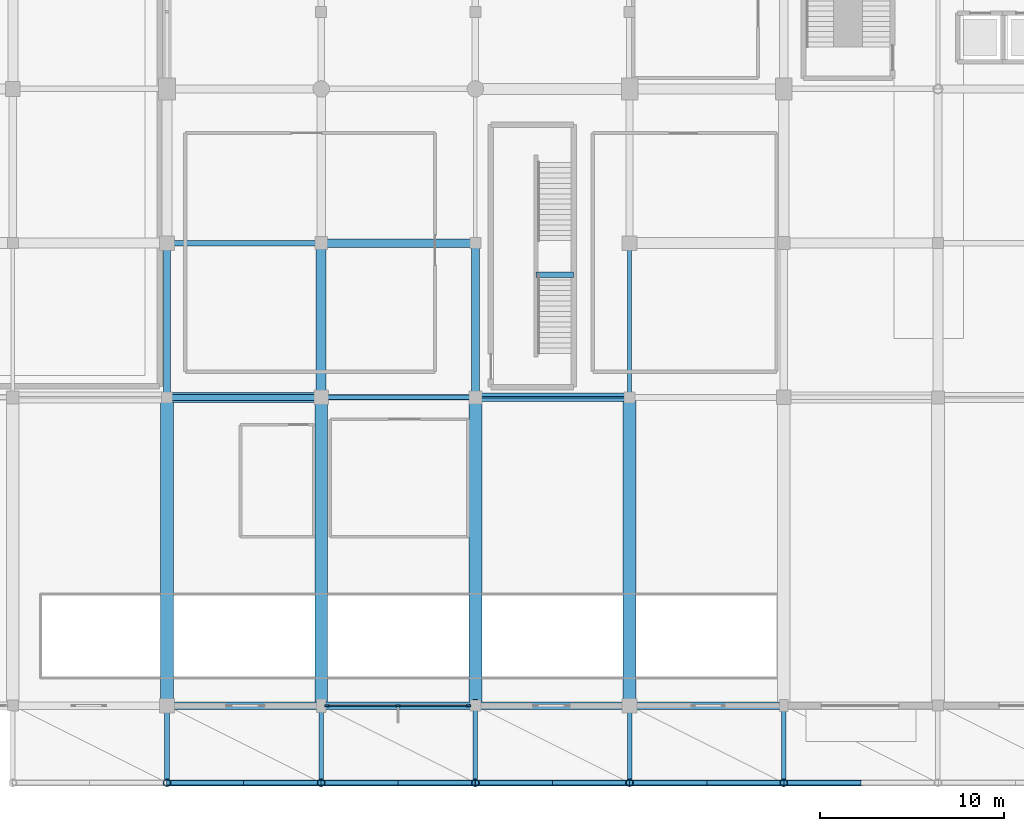
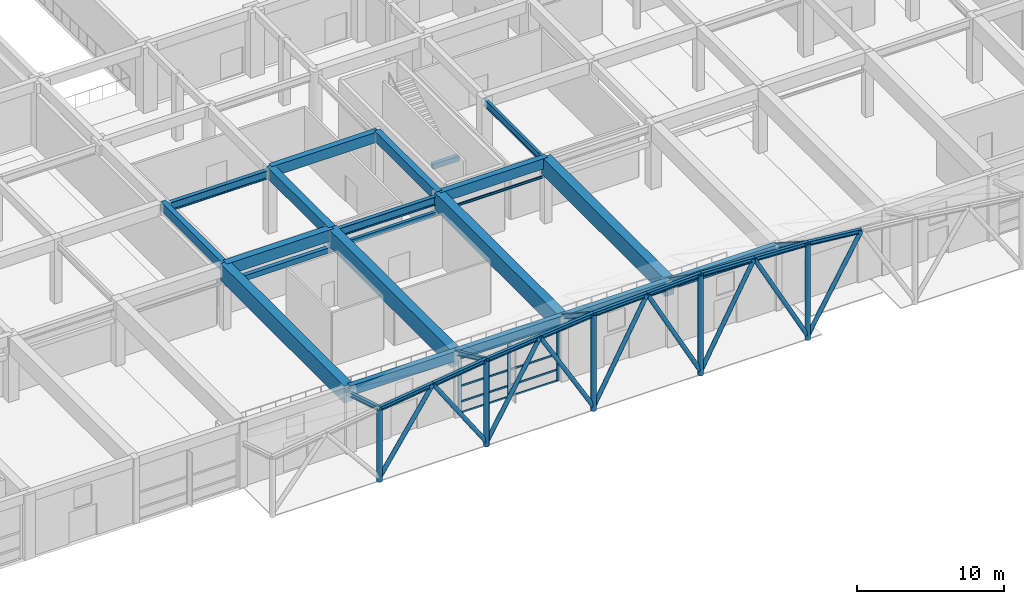
# One storey, part 15 of 62: 39 members, 21 beams, 1 element without a shape of its own.
"""IFC4 building model written with IfcOpenShell, lengths in metres."""

from ifc_helpers import new_model, si_unit, direction, frame, origin, origin_2d, place, context, subcontext, project, spatial, rectangle, hollow_circle, i_section, extrude, material, material_profile, profile_set, type_object, element, aggregate, save


model = new_model("IFC4")

# Units and contexts
model_context = context("Model", 3, precision=1e-05, world=origin(), true_north=direction((0.0, 1.0)))
body_context = subcontext(model_context, "Body", "Model", "MODEL_VIEW")
ifc_project = project(units=[si_unit("LENGTHUNIT", "METRE"), si_unit("AREAUNIT", "SQUARE_METRE"), si_unit("VOLUMEUNIT", "CUBIC_METRE"), si_unit("PLANEANGLEUNIT", "RADIAN"), si_unit("MASSUNIT", "GRAM", prefix="KILO")], contexts=[model_context])

# Site, building, storey
site_placement = place(None, origin())
site = spatial("IfcSite", under=ifc_project, at=site_placement, CompositionType="ELEMENT")
building_placement = place(site_placement, origin())
building = spatial("IfcBuilding", under=site, at=building_placement, Name="Xuanlan Plaza Opera House", CompositionType="ELEMENT")
storey_placement = place(building_placement, origin())
storey = spatial("IfcBuildingStorey", under=building, at=storey_placement, Name="L00", CompositionType="ELEMENT", Elevation=0.0)

# Curtain wall, members
ifc_material_1 = material(Name="Anodised Aluminium 6063-T6 and Low-E Glass", Category="aluminium")
curtain_wall_type = type_object("IfcCurtainWallType", Name="ENV-CW-CW-05", PredefinedType="USERDEFINED", material=ifc_material_1)
curtain_wall_placement = place(storey_placement, origin())
curtain_wall = element("IfcCurtainWall", 1, at=curtain_wall_placement, inside=storey, type_object=curtain_wall_type, Name="Acoustic Glazed Wall L00-008", ObjectType="ACOUSTIC GLAZED WALL", PredefinedType="USERDEFINED")
ifc_material_2 = material(Name="Anodised Aluminium 6063-T6", Category="aluminium")
ifc_material_profile_1 = material_profile(ifc_material_2, rectangle(XDim=0.090087890625, YDim=0.25, at=origin_2d()), Name="ALU-M 90x250")
ifc_profile_set_1 = profile_set([ifc_material_profile_1], Name="Anodised Aluminium 6063-T6")
member_type_1 = type_object("IfcMemberType", Name="ENV-CWM-05", PredefinedType="MULLION", material=ifc_profile_set_1)
member_1_placement = place(storey_placement, frame((75.9150390625, 0.0, 0.0), z_axis=(0.0, 0.0, 1.0), x_axis=(0.0, 1.0, 0.0)))
member_1 = element("IfcMember", 2, at=member_1_placement, type_object=member_type_1, Name="CW-05 mullion 1", PredefinedType="MULLION", context=body_context, shape_type="SweptSolid", body=[
    extrude(rectangle(XDim=0.090087890625, YDim=0.25, at=origin_2d()), origin(), (0.0, 0.0, 1.0), 4.580078125),
])
member_2_placement = place(storey_placement, frame((79.77490234375, 0.0, 0.0), z_axis=(0.0, 0.0, 1.0), x_axis=(0.0, 1.0, 0.0)))
member_2 = element("IfcMember", 3, at=member_2_placement, type_object=member_type_1, Name="CW-05 mullion 2", PredefinedType="MULLION", context=body_context, shape_type="SweptSolid", body=[
    extrude(rectangle(XDim=0.090087890625, YDim=0.25, at=origin_2d()), origin(), (0.0, 0.0, 1.0), 4.580078125),
])
member_3_placement = place(storey_placement, frame((83.635009765625, 0.0, 0.0), z_axis=(0.0, 0.0, 1.0), x_axis=(0.0, 1.0, 0.0)))
member_3 = element("IfcMember", 4, at=member_3_placement, type_object=member_type_1, Name="CW-05 mullion 3", PredefinedType="MULLION", context=body_context, shape_type="SweptSolid", body=[
    extrude(rectangle(XDim=0.090087890625, YDim=0.25, at=origin_2d()), origin(), (0.0, 0.0, 1.0), 4.580078125),
])
ifc_material_profile_2 = material_profile(ifc_material_2, rectangle(XDim=0.074951171875, YDim=0.14990234375, at=origin_2d()), Name="ALU-T 75x150")
ifc_profile_set_2 = profile_set([ifc_material_profile_2], Name="Anodised Aluminium 6063-T6")
member_type_2 = type_object("IfcMemberType", Name="ENV-CWT-03", PredefinedType="USERDEFINED", material=ifc_profile_set_2)
member_4_placement = place(storey_placement, frame((75.9599609375, 0.0, 0.03759765625), z_axis=(1.0, 0.0, 0.0), x_axis=(0.0, 1.0, 0.0)))
member_4 = element("IfcMember", 5, at=member_4_placement, type_object=member_type_2, Name="CW-05 transom 1.1", ObjectType="TRANSOM", PredefinedType="USERDEFINED", context=body_context, shape_type="SweptSolid", body=[
    extrude(rectangle(XDim=0.074951171875, YDim=0.14990234375, at=origin_2d()), origin(), (0.0, 0.0, 1.0), 3.77001953125),
])
member_5_placement = place(storey_placement, frame((75.9599609375, 0.0, 0.949951171875), z_axis=(1.0, 0.0, 0.0), x_axis=(0.0, 1.0, 0.0)))
member_5 = element("IfcMember", 6, at=member_5_placement, type_object=member_type_2, Name="CW-05 transom 1.2", ObjectType="TRANSOM", PredefinedType="USERDEFINED", context=body_context, shape_type="SweptSolid", body=[
    extrude(rectangle(XDim=0.074951171875, YDim=0.14990234375, at=origin_2d()), origin(), (0.0, 0.0, 1.0), 3.77001953125),
])
member_6_placement = place(storey_placement, frame((75.9599609375, 0.0, 2.25), z_axis=(1.0, 0.0, 0.0), x_axis=(0.0, 1.0, 0.0)))
member_6 = element("IfcMember", 7, at=member_6_placement, type_object=member_type_2, Name="CW-05 transom 1.3", ObjectType="TRANSOM", PredefinedType="USERDEFINED", context=body_context, shape_type="SweptSolid", body=[
    extrude(rectangle(XDim=0.074951171875, YDim=0.14990234375, at=origin_2d()), origin(), (0.0, 0.0, 1.0), 3.77001953125),
])
member_7_placement = place(storey_placement, frame((75.9599609375, 0.0, 4.54248046875), z_axis=(1.0, 0.0, 0.0), x_axis=(0.0, 1.0, 0.0)))
member_7 = element("IfcMember", 8, at=member_7_placement, type_object=member_type_2, Name="CW-05 transom 1.4", ObjectType="TRANSOM", PredefinedType="USERDEFINED", context=body_context, shape_type="SweptSolid", body=[
    extrude(rectangle(XDim=0.074951171875, YDim=0.14990234375, at=origin_2d()), origin(), (0.0, 0.0, 1.0), 3.77001953125),
])
member_8_placement = place(storey_placement, frame((79.820068359375, 0.0, 0.03759765625), z_axis=(1.0, 0.0, 0.0), x_axis=(0.0, 1.0, 0.0)))
member_8 = element("IfcMember", 9, at=member_8_placement, type_object=member_type_2, Name="CW-05 transom 2.1", ObjectType="TRANSOM", PredefinedType="USERDEFINED", context=body_context, shape_type="SweptSolid", body=[
    extrude(rectangle(XDim=0.074951171875, YDim=0.14990234375, at=origin_2d()), origin(), (0.0, 0.0, 1.0), 3.77001953125),
])
member_9_placement = place(storey_placement, frame((79.820068359375, 0.0, 0.949951171875), z_axis=(1.0, 0.0, 0.0), x_axis=(0.0, 1.0, 0.0)))
member_9 = element("IfcMember", 10, at=member_9_placement, type_object=member_type_2, Name="CW-05 transom 2.2", ObjectType="TRANSOM", PredefinedType="USERDEFINED", context=body_context, shape_type="SweptSolid", body=[
    extrude(rectangle(XDim=0.074951171875, YDim=0.14990234375, at=origin_2d()), origin(), (0.0, 0.0, 1.0), 3.77001953125),
])
member_10_placement = place(storey_placement, frame((79.820068359375, 0.0, 2.25), z_axis=(1.0, 0.0, 0.0), x_axis=(0.0, 1.0, 0.0)))
member_10 = element("IfcMember", 11, at=member_10_placement, type_object=member_type_2, Name="CW-05 transom 2.3", ObjectType="TRANSOM", PredefinedType="USERDEFINED", context=body_context, shape_type="SweptSolid", body=[
    extrude(rectangle(XDim=0.074951171875, YDim=0.14990234375, at=origin_2d()), origin(), (0.0, 0.0, 1.0), 3.77001953125),
])
member_11_placement = place(storey_placement, frame((79.820068359375, 0.0, 4.54248046875), z_axis=(1.0, 0.0, 0.0), x_axis=(0.0, 1.0, 0.0)))
member_11 = element("IfcMember", 12, at=member_11_placement, type_object=member_type_2, Name="CW-05 transom 2.4", ObjectType="TRANSOM", PredefinedType="USERDEFINED", context=body_context, shape_type="SweptSolid", body=[
    extrude(rectangle(XDim=0.074951171875, YDim=0.14990234375, at=origin_2d()), origin(), (0.0, 0.0, 1.0), 3.77001953125),
])
aggregate(curtain_wall, [member_1, member_2, member_3, member_4, member_5, member_6, member_7, member_8, member_9, member_10, member_11])

# Beams
ifc_material_3 = material(Name="Concrete C50", Category="concrete")
ifc_material_profile_3 = material_profile(ifc_material_3, rectangle(XDim=0.550048828125, YDim=0.949951171875, at=origin_2d()), Name="RC-BM 550x950")
ifc_profile_set_3 = profile_set([ifc_material_profile_3], Name="Concrete C50")
beam_type_1 = type_object("IfcBeamType", Name="STR-BM-B-02", PredefinedType="BEAM", material=ifc_profile_set_3)
beam_1_placement = place(storey_placement, frame((67.199951171875, 16.800048828125, 4.925048828125), z_axis=(1.0, 0.0, 0.0), x_axis=(0.0, 1.0, 0.0)))
element("IfcBeam", 13, at=beam_1_placement, inside=storey, type_object=beam_type_1, Name="Grid Beam X L00 9-10/C", PredefinedType="BEAM", context=body_context, shape_type="SweptSolid", body=[
    extrude(rectangle(XDim=0.550048828125, YDim=0.949951171875, at=origin_2d()), origin(), (0.0, 0.0, 1.0), 8.400146484375),
])
beam_2_placement = place(storey_placement, frame((75.60009765625, 16.800048828125, 4.925048828125), z_axis=(0.0, 1.0, 0.0), x_axis=(-1.0, 0.0, 0.0)))
element("IfcBeam", 14, at=beam_2_placement, inside=storey, type_object=beam_type_1, Name="Grid Beam Y L00 10/C-D", PredefinedType="BEAM", context=body_context, shape_type="SweptSolid", body=[
    extrude(rectangle(XDim=0.550048828125, YDim=0.949951171875, at=origin_2d()), origin(), (0.0, 0.0, 1.0), 8.39990234375),
])
ifc_material_4 = material(Name="Concrete C40", Category="concrete")
ifc_material_profile_4 = material_profile(ifc_material_4, rectangle(XDim=0.449951171875, YDim=0.85009765625, at=origin_2d()), Name="RC-BM 450x850")
ifc_profile_set_4 = profile_set([ifc_material_profile_4], Name="Concrete C40")
beam_type_2 = type_object("IfcBeamType", Name="STR-BM-B-04", PredefinedType="BEAM", material=ifc_profile_set_4)
for number, where, z_axis, x_axis, name in (
    (15, (84.0, 16.800048828125, 4.97509765625), (1.0, 0.0, 0.0), (0.0, 1.0, 0.0), "Grid Beam X L00 11-12/C"),
    (16, (75.60009765625, 25.199951171875, 4.97509765625), (1.0, 0.0, 0.0), (0.0, 1.0, 0.0), "Grid Beam X L00 10-11/D"),
    (17, (84.0, 16.800048828125, 4.97509765625), (0.0, 1.0, 0.0), (-1.0, 0.0, 0.0), "Grid Beam Y L00 11/C-D"),
):
    element("IfcBeam", number, at=place(storey_placement, frame(where, z_axis=z_axis, x_axis=x_axis)), inside=storey, type_object=beam_type_2, Name=name, PredefinedType="BEAM", context=body_context, shape_type="SweptSolid", body=[
        extrude(rectangle(XDim=0.449951171875, YDim=0.85009765625, at=origin_2d()), origin(), (0.0, 0.0, 1.0), 8.39990234375),
    ])
ifc_material_profile_5 = material_profile(ifc_material_4, rectangle(XDim=0.39990234375, YDim=0.75, at=origin_2d()), Name="RC-BM 400x750")
ifc_profile_set_5 = profile_set([ifc_material_profile_5], Name="Concrete C40")
beam_type_3 = type_object("IfcBeamType", Name="STR-BM-B-06", PredefinedType="BEAM", material=ifc_profile_set_5)
beam_3_placement = place(storey_placement, frame((67.199951171875, 16.800048828125, 5.02490234375), z_axis=(0.0, 1.0, 0.0), x_axis=(-1.0, 0.0, 0.0)))
element("IfcBeam", 18, at=beam_3_placement, inside=storey, type_object=beam_type_3, Name="Grid Beam Y L00 9/C-D", PredefinedType="BEAM", context=body_context, shape_type="SweptSolid", body=[
    extrude(rectangle(XDim=0.39990234375, YDim=0.75, at=origin_2d()), origin(), (0.0, 0.0, 1.0), 8.39990234375),
])
ifc_material_profile_6 = material_profile(ifc_material_3, rectangle(XDim=0.699951171875, YDim=1.39990234375, at=origin_2d()), Name="RC-LG 700x1400")
ifc_profile_set_6 = profile_set([ifc_material_profile_6], Name="Concrete C50")
beam_type_4 = type_object("IfcBeamType", Name="STR-BM-LG-01", PredefinedType="BEAM", material=ifc_profile_set_6)
for number, where, z_axis, x_axis, name in (
    (19, (67.199951171875, 0.0, 4.699951171875), (0.0, 1.0, 0.0), (-1.0, 0.0, 0.0), "Grid Beam Y L00 9/A-C"),
    (20, (75.60009765625, 0.0, 4.699951171875), (0.0, 1.0, 0.0), (-1.0, 0.0, 0.0), "Grid Beam Y L00 10/A-C"),
    (21, (84.0, 0.0, 4.699951171875), (0.0, 1.0, 0.0), (-1.0, 0.0, 0.0), "Grid Beam Y L00 11/A-C"),
    (22, (92.39990234375, 0.0, 4.699951171875), (0.0, 1.0, 0.0), (-1.0, 0.0, 0.0), "Grid Beam Y L00 12/A-C"),
):
    element("IfcBeam", number, at=place(storey_placement, frame(where, z_axis=z_axis, x_axis=x_axis)), inside=storey, type_object=beam_type_4, Name=name, PredefinedType="BEAM", context=body_context, shape_type="SweptSolid", body=[
        extrude(rectangle(XDim=0.699951171875, YDim=1.39990234375, at=origin_2d()), origin(), (0.0, 0.0, 1.0), 16.800048828125),
    ])
ifc_material_profile_7 = material_profile(ifc_material_4, rectangle(XDim=0.239990234375, YDim=0.35009765625, at=origin_2d()), Name="RC-LNT 240x350")
ifc_profile_set_7 = profile_set([ifc_material_profile_7], Name="Concrete C40")
beam_type_5 = type_object("IfcBeamType", Name="STR-BM-LN-02", PredefinedType="LINTEL", material=ifc_profile_set_7)
beam_4_placement = place(storey_placement, frame((75.60009765625, 16.800048828125, 3.675048828125), z_axis=(1.0, 0.0, 0.0), x_axis=(0.0, 1.0, 0.0)))
element("IfcBeam", 23, at=beam_4_placement, inside=storey, type_object=beam_type_5, Name="Backstage Portal Lintel Beam L00-09", PredefinedType="LINTEL", context=body_context, shape_type="SweptSolid", body=[
    extrude(rectangle(XDim=0.239990234375, YDim=0.35009765625, at=origin_2d()), origin(), (0.0, 0.0, 1.0), 8.39990234375),
])
ifc_material_5 = material(Name="Steel Q355B", Category="steel")
ifc_material_profile_8 = material_profile(ifc_material_5, i_section(OverallWidth=0.10009765625, OverallDepth=0.199951171875, WebThickness=0.005615234375, FlangeThickness=0.008056640625, FilletRadius=0.010986328125, at=origin_2d()), Name="HN 200x100x5.5x8")
ifc_profile_set_8 = profile_set([ifc_material_profile_8], Name="Steel Q355B")
beam_type_6 = type_object("IfcBeamType", Name="STR-BM-LN-03", PredefinedType="LINTEL", material=ifc_profile_set_8)
beam_5_placement = place(storey_placement, frame((84.0, 16.800048828125, 3.75), z_axis=(1.0, 0.0, 0.0), x_axis=(0.0, 1.0, 0.0)))
element("IfcBeam", 24, at=beam_5_placement, inside=storey, type_object=beam_type_6, Name="Backstage Portal Lintel Beam L00-10", PredefinedType="LINTEL", context=body_context, shape_type="SweptSolid", body=[
    extrude(i_section(OverallWidth=0.10009765625, OverallDepth=0.199951171875, WebThickness=0.005615234375, FlangeThickness=0.008056640625, FilletRadius=0.010986328125, at=origin_2d()), origin(), (0.0, 0.0, 1.0), 8.39990234375),
])
ifc_material_profile_9 = material_profile(ifc_material_4, rectangle(XDim=0.320068359375, YDim=0.419921875, at=origin_2d()), Name="RC-LNT 320x420")
ifc_profile_set_9 = profile_set([ifc_material_profile_9], Name="Concrete C40")
beam_type_7 = type_object("IfcBeamType", Name="STR-BM-LN-04", PredefinedType="LINTEL", material=ifc_profile_set_9)
beam_6_placement = place(storey_placement, frame((87.300048828125, 23.47509765625, 2.2900390625), z_axis=(1.0, 0.0, 0.0), x_axis=(0.0, 1.0, 0.0)))
element("IfcBeam", 25, at=beam_6_placement, inside=storey, type_object=beam_type_7, Name="Stair Mid-Landing Trimmer Beam ST-P3 L00", PredefinedType="LINTEL", context=body_context, shape_type="SweptSolid", body=[
    extrude(rectangle(XDim=0.320068359375, YDim=0.419921875, at=origin_2d()), origin(), (0.0, 0.0, 1.0), 2.050048828125),
])
ifc_material_profile_10 = material_profile(ifc_material_4, rectangle(XDim=0.320068359375, YDim=0.43994140625, at=origin_2d()), Name="RC-LNT 320x440")
ifc_profile_set_10 = profile_set([ifc_material_profile_10], Name="Concrete C40")
beam_type_8 = type_object("IfcBeamType", Name="STR-BM-LN-05", PredefinedType="LINTEL", material=ifc_profile_set_10)
beam_7_placement = place(storey_placement, frame((67.199951171875, 16.800048828125, 3.6298828125), z_axis=(1.0, 0.0, 0.0), x_axis=(0.0, 1.0, 0.0)))
element("IfcBeam", 26, at=beam_7_placement, inside=storey, type_object=beam_type_8, Name="Backstage Portal Lintel Beam L00-08", PredefinedType="LINTEL", context=body_context, shape_type="SweptSolid", body=[
    extrude(rectangle(XDim=0.320068359375, YDim=0.43994140625, at=origin_2d()), origin(), (0.0, 0.0, 1.0), 8.400146484375),
])
ifc_material_profile_11 = material_profile(ifc_material_5, i_section(OverallWidth=0.300048828125, OverallDepth=0.699951171875, WebThickness=0.012939453125, FlangeThickness=0.02392578125, FilletRadius=0.02392578125, at=origin_2d()), Name="HN 700x300x13x24")
ifc_profile_set_11 = profile_set([ifc_material_profile_11], Name="Steel Q355B")
beam_type_9 = type_object("IfcBeamType", Name="STR-BM-SB-03", PredefinedType="BEAM", material=ifc_profile_set_11)
beam_8_placement = place(storey_placement, frame((75.60009765625, 16.800048828125, 4.784912109375), z_axis=(1.0, 0.0, 0.0), x_axis=(0.0, 1.0, 0.0)))
element("IfcBeam", 27, at=beam_8_placement, inside=storey, type_object=beam_type_9, Name="Grid Beam X L00 10-11/C", PredefinedType="BEAM", context=body_context, shape_type="SweptSolid", body=[
    extrude(i_section(OverallWidth=0.300048828125, OverallDepth=0.699951171875, WebThickness=0.012939453125, FlangeThickness=0.02392578125, FilletRadius=0.02392578125, at=origin_2d()), origin(), (0.0, 0.0, 1.0), 8.39990234375),
])
beam_9_placement = place(storey_placement, frame((67.199951171875, 25.199951171875, 4.784912109375), z_axis=(1.0, 0.0, 0.0), x_axis=(0.0, 1.0, 0.0)))
element("IfcBeam", 28, at=beam_9_placement, inside=storey, type_object=beam_type_9, Name="Grid Beam X L00 9-10/D", PredefinedType="BEAM", context=body_context, shape_type="SweptSolid", body=[
    extrude(i_section(OverallWidth=0.300048828125, OverallDepth=0.699951171875, WebThickness=0.012939453125, FlangeThickness=0.02392578125, FilletRadius=0.02392578125, at=origin_2d()), origin(), (0.0, 0.0, 1.0), 8.400146484375),
])
ifc_material_profile_12 = material_profile(ifc_material_5, i_section(OverallWidth=0.199951171875, OverallDepth=0.60009765625, WebThickness=0.010986328125, FlangeThickness=0.01708984375, FilletRadius=0.02197265625, at=origin_2d()), Name="HN 600x200x11x17")
ifc_profile_set_12 = profile_set([ifc_material_profile_12], Name="Steel Q355B")
beam_type_10 = type_object("IfcBeamType", Name="STR-BM-SB-04", PredefinedType="BEAM", material=ifc_profile_set_12)
beam_10_placement = place(storey_placement, frame((92.39990234375, 16.800048828125, 4.8349609375), z_axis=(0.0, 1.0, 0.0), x_axis=(-1.0, 0.0, 0.0)))
element("IfcBeam", 29, at=beam_10_placement, inside=storey, type_object=beam_type_10, Name="Grid Beam Y L00 12/C-D", PredefinedType="BEAM", context=body_context, shape_type="SweptSolid", body=[
    extrude(i_section(OverallWidth=0.199951171875, OverallDepth=0.60009765625, WebThickness=0.010986328125, FlangeThickness=0.01708984375, FilletRadius=0.02197265625, at=origin_2d()), origin(), (0.0, 0.0, 1.0), 8.39990234375),
])
ifc_material_profile_13 = material_profile(ifc_material_4, rectangle(XDim=0.39990234375, YDim=0.800048828125, at=origin_2d()), Name="RC-SPD 400x800")
ifc_profile_set_13 = profile_set([ifc_material_profile_13], Name="Concrete C40")
beam_type_11 = type_object("IfcBeamType", Name="STR-BM-SP-01", PredefinedType="SPANDREL", material=ifc_profile_set_13)
beam_11_placement = place(storey_placement, frame((67.199951171875, 0.0, 5.0), z_axis=(1.0, 0.0, 0.0), x_axis=(0.0, 1.0, 0.0)))
element("IfcBeam", 30, at=beam_11_placement, inside=storey, type_object=beam_type_11, Name="Grid Beam X L00 9-10/A", PredefinedType="SPANDREL", context=body_context, shape_type="SweptSolid", body=[
    extrude(rectangle(XDim=0.39990234375, YDim=0.800048828125, at=origin_2d()), origin(), (0.0, 0.0, 1.0), 8.400146484375),
])
for number, where, z_axis, x_axis, name in (
    (31, (75.60009765625, 0.0, 5.0), (1.0, 0.0, 0.0), (0.0, 1.0, 0.0), "Grid Beam X L00 10-11/A"),
    (32, (84.0, 0.0, 5.0), (1.0, 0.0, 0.0), (0.0, 1.0, 0.0), "Grid Beam X L00 11-12/A"),
):
    element("IfcBeam", number, at=place(storey_placement, frame(where, z_axis=z_axis, x_axis=x_axis)), inside=storey, type_object=beam_type_11, Name=name, PredefinedType="SPANDREL", context=body_context, shape_type="SweptSolid", body=[
        extrude(rectangle(XDim=0.39990234375, YDim=0.800048828125, at=origin_2d()), origin(), (0.0, 0.0, 1.0), 8.39990234375),
    ])
beam_12_placement = place(storey_placement, frame((92.39990234375, 0.0, 5.0), z_axis=(1.0, 0.0, 0.0), x_axis=(0.0, 1.0, 0.0)))
element("IfcBeam", 33, at=beam_12_placement, inside=storey, type_object=beam_type_11, Name="Grid Beam X L00 12-13/A", PredefinedType="SPANDREL", context=body_context, shape_type="SweptSolid", body=[
    extrude(rectangle(XDim=0.39990234375, YDim=0.800048828125, at=origin_2d()), origin(), (0.0, 0.0, 1.0), 8.400146484375),
])

# Members
ifc_material_6 = material(Name="Steel Q390B", Category="steel")
ifc_material_profile_14 = material_profile(ifc_material_6, hollow_circle(Radius=0.203125, WallThickness=0.01611328125, at=origin_2d()), Name="CHS 406.4x16")
ifc_profile_set_14 = profile_set([ifc_material_profile_14], Name="Steel Q390B")
member_type_3 = type_object("IfcMemberType", Name="STR-MEM-BR-01", PredefinedType="BRACE", material=ifc_profile_set_14)
member_12_placement = place(storey_placement, frame((67.199951171875, -4.199951171875, 0.001953125), z_axis=(0.0, 0.0, 1.0), x_axis=(1.0, 0.0, 0.0)))
element("IfcMember", 34, at=member_12_placement, inside=storey, type_object=member_type_3, Name="Plaza Canopy Grounded Steel Pier 9", PredefinedType="BRACE", context=body_context, shape_type="SweptSolid", body=[
    extrude(hollow_circle(Radius=0.203125, WallThickness=0.01611328125, at=origin_2d()), origin(), (0.0, 0.0, 1.0), 5.988037109375),
])
member_13_placement = place(storey_placement, frame((75.60009765625, -4.199951171875, 0.001953125), z_axis=(0.0, 0.0, 1.0), x_axis=(1.0, 0.0, 0.0)))
element("IfcMember", 35, at=member_13_placement, inside=storey, type_object=member_type_3, Name="Plaza Canopy Grounded Steel Pier 10", PredefinedType="BRACE", context=body_context, shape_type="SweptSolid", body=[
    extrude(hollow_circle(Radius=0.203125, WallThickness=0.01611328125, at=origin_2d()), origin(), (0.0, 0.0, 1.0), 7.088134765625),
])
member_14_placement = place(storey_placement, frame((84.0, -4.199951171875, 0.001953125), z_axis=(0.0, 0.0, 1.0), x_axis=(1.0, 0.0, 0.0)))
element("IfcMember", 36, at=member_14_placement, inside=storey, type_object=member_type_3, Name="Plaza Canopy Grounded Steel Pier 11", PredefinedType="BRACE", context=body_context, shape_type="SweptSolid", body=[
    extrude(hollow_circle(Radius=0.203125, WallThickness=0.01611328125, at=origin_2d()), origin(), (0.0, 0.0, 1.0), 7.93798828125),
])
member_15_placement = place(storey_placement, frame((92.39990234375, -4.199951171875, 0.001953125), z_axis=(0.0, 0.0, 1.0), x_axis=(1.0, 0.0, 0.0)))
element("IfcMember", 37, at=member_15_placement, inside=storey, type_object=member_type_3, Name="Plaza Canopy Grounded Steel Pier 12", PredefinedType="BRACE", context=body_context, shape_type="SweptSolid", body=[
    extrude(hollow_circle(Radius=0.203125, WallThickness=0.01611328125, at=origin_2d()), origin(), (0.0, 0.0, 1.0), 8.2880859375),
])
member_16_placement = place(storey_placement, frame((100.800048828125, -4.199951171875, 0.001953125), z_axis=(0.0, 0.0, 1.0), x_axis=(1.0, 0.0, 0.0)))
element("IfcMember", 38, at=member_16_placement, inside=storey, type_object=member_type_3, Name="Plaza Canopy Grounded Steel Pier 13", PredefinedType="BRACE", context=body_context, shape_type="SweptSolid", body=[
    extrude(hollow_circle(Radius=0.203125, WallThickness=0.01611328125, at=origin_2d()), origin(), (0.0, 0.0, 1.0), 7.93798828125),
])
ifc_material_profile_15 = material_profile(ifc_material_5, hollow_circle(Radius=0.161865234375, WallThickness=0.013916015625, at=origin_2d()), Name="CHS 323.9x14")
ifc_profile_set_15 = profile_set([ifc_material_profile_15], Name="Steel Q355B")
member_type_4 = type_object("IfcMemberType", Name="STR-MEM-BR-03", PredefinedType="BRACE", material=ifc_profile_set_15)
member_17_placement = place(storey_placement, frame((67.199951171875, -4.199951171875, 0.280029296875), z_axis=(0.557141724361, 0.0, 0.830417424538), x_axis=(0.0, 1.0, 0.0)))
element("IfcMember", 39, at=member_17_placement, inside=storey, type_object=member_type_4, Name="Plaza Canopy V-Strut 02L", PredefinedType="BRACE", context=body_context, shape_type="SweptSolid", body=[
    extrude(hollow_circle(Radius=0.161865234375, WallThickness=0.013916015625, at=origin_2d()), origin(), (0.0, 0.0, 1.0), 7.538330078125),
])
member_18_placement = place(storey_placement, frame((75.60009765625, -4.199951171875, 0.280029296875), z_axis=(-0.557164057133, 0.0, 0.830402440651), x_axis=(0.0, -1.0, 0.0)))
element("IfcMember", 40, at=member_18_placement, inside=storey, type_object=member_type_4, Name="Plaza Canopy V-Strut 02R", PredefinedType="BRACE", context=body_context, shape_type="SweptSolid", body=[
    extrude(hollow_circle(Radius=0.161865234375, WallThickness=0.013916015625, at=origin_2d()), origin(), (0.0, 0.0, 1.0), 7.53857421875),
])
for number, where, z_axis, x_axis, name in (
    (41, (75.60009765625, -4.199951171875, 0.280029296875), (0.502051733206, 0.0, 0.864837590062), (0.0, 1.0, 0.0), "Plaza Canopy V-Strut 03L"),
    (42, (84.0, -4.199951171875, 0.280029296875), (-0.502051733206, 0.0, 0.864837590062), (0.0, -1.0, 0.0), "Plaza Canopy V-Strut 03R"),
):
    element("IfcMember", number, at=place(storey_placement, frame(where, z_axis=z_axis, x_axis=x_axis)), inside=storey, type_object=member_type_4, Name=name, PredefinedType="BRACE", context=body_context, shape_type="SweptSolid", body=[
        extrude(hollow_circle(Radius=0.161865234375, WallThickness=0.013916015625, at=origin_2d()), origin(), (0.0, 0.0, 1.0), 8.365478515625),
    ])
for number, where, z_axis, x_axis, name in (
    (43, (84.0, -4.199951171875, 0.280029296875), (0.472453079618, 0.0, 0.881355823467), (0.0, 1.0, 0.0), "Plaza Canopy V-Strut 04L"),
    (44, (92.39990234375, -4.199951171875, 0.280029296875), (-0.472453079618, 0.0, 0.881355823467), (0.0, -1.0, 0.0), "Plaza Canopy V-Strut 04R"),
):
    element("IfcMember", number, at=place(storey_placement, frame(where, z_axis=z_axis, x_axis=x_axis)), inside=storey, type_object=member_type_4, Name=name, PredefinedType="BRACE", context=body_context, shape_type="SweptSolid", body=[
        extrude(hollow_circle(Radius=0.161865234375, WallThickness=0.013916015625, at=origin_2d()), origin(), (0.0, 0.0, 1.0), 8.8896484375),
    ])
member_19_placement = place(storey_placement, frame((92.39990234375, -4.199951171875, 0.280029296875), z_axis=(0.472474412454, 0.0, 0.881344387612), x_axis=(0.0, 1.0, 0.0)))
element("IfcMember", 45, at=member_19_placement, inside=storey, type_object=member_type_4, Name="Plaza Canopy V-Strut 05L", PredefinedType="BRACE", context=body_context, shape_type="SweptSolid", body=[
    extrude(hollow_circle(Radius=0.161865234375, WallThickness=0.013916015625, at=origin_2d()), origin(), (0.0, 0.0, 1.0), 8.889892578125),
])
member_20_placement = place(storey_placement, frame((100.800048828125, -4.199951171875, 0.280029296875), z_axis=(-0.472453079618, 0.0, 0.881355823467), x_axis=(0.0, -1.0, 0.0)))
element("IfcMember", 46, at=member_20_placement, inside=storey, type_object=member_type_4, Name="Plaza Canopy V-Strut 05R", PredefinedType="BRACE", context=body_context, shape_type="SweptSolid", body=[
    extrude(hollow_circle(Radius=0.161865234375, WallThickness=0.013916015625, at=origin_2d()), origin(), (0.0, 0.0, 1.0), 8.8896484375),
])
member_21_placement = place(storey_placement, frame((100.800048828125, -4.199951171875, 0.280029296875), z_axis=(0.502051733206, 0.0, 0.864837590062), x_axis=(0.0, 1.0, 0.0)))
element("IfcMember", 47, at=member_21_placement, inside=storey, type_object=member_type_4, Name="Plaza Canopy V-Strut 06L", PredefinedType="BRACE", context=body_context, shape_type="SweptSolid", body=[
    extrude(hollow_circle(Radius=0.161865234375, WallThickness=0.013916015625, at=origin_2d()), origin(), (0.0, 0.0, 1.0), 8.365478515625),
])
ifc_material_profile_16 = material_profile(ifc_material_5, i_section(OverallWidth=0.25, OverallDepth=0.340087890625, WebThickness=0.009033203125, FlangeThickness=0.013916015625, FilletRadius=0.01611328125, at=origin_2d()), Name="HM 340x250x9x14")
ifc_profile_set_16 = profile_set([ifc_material_profile_16], Name="Steel Q355B")
member_type_5 = type_object("IfcMemberType", Name="STR-MEM-TC-01", PredefinedType="CHORD", material=ifc_profile_set_16)
member_22_placement = place(storey_placement, frame((67.199951171875, 0.25, 4.639892578125), z_axis=(0.0, -0.956927209305, 0.290327945765), x_axis=(1.0, 0.0, 0.0)))
element("IfcMember", 48, at=member_22_placement, inside=storey, type_object=member_type_5, Name="Plaza Canopy Transverse Arch Rib 9", PredefinedType="CHORD", context=body_context, shape_type="SweptSolid", body=[
    extrude(i_section(OverallWidth=0.25, OverallDepth=0.340087890625, WebThickness=0.009033203125, FlangeThickness=0.013916015625, FilletRadius=0.01611328125, at=origin_2d()), origin(), (0.0, 0.0, 1.0), 4.650146484375),
])
member_23_placement = place(storey_placement, frame((75.60009765625, 0.25, 5.050048828125), z_axis=(0.0, -0.909027826294, 0.416735420888), x_axis=(1.0, 0.0, 0.0)))
element("IfcMember", 49, at=member_23_placement, inside=storey, type_object=member_type_5, Name="Plaza Canopy Transverse Arch Rib 10", PredefinedType="CHORD", context=body_context, shape_type="SweptSolid", body=[
    extrude(i_section(OverallWidth=0.25, OverallDepth=0.340087890625, WebThickness=0.009033203125, FlangeThickness=0.013916015625, FilletRadius=0.01611328125, at=origin_2d()), origin(), (0.0, 0.0, 1.0), 4.895263671875),
])
member_24_placement = place(storey_placement, frame((84.0, 0.25, 5.050048828125), z_axis=(0.0, -0.838665359885, 0.544647054642), x_axis=(1.0, 0.0, 0.0)))
element("IfcMember", 50, at=member_24_placement, inside=storey, type_object=member_type_5, Name="Plaza Canopy Transverse Arch Rib 11", PredefinedType="CHORD", context=body_context, shape_type="SweptSolid", body=[
    extrude(i_section(OverallWidth=0.25, OverallDepth=0.340087890625, WebThickness=0.009033203125, FlangeThickness=0.013916015625, FilletRadius=0.01611328125, at=origin_2d()), origin(), (0.0, 0.0, 1.0), 5.305908203125),
])
member_25_placement = place(storey_placement, frame((92.39990234375, 0.25, 5.050048828125), z_axis=(0.0, -0.808419503621, 0.588606750017), x_axis=(1.0, 0.0, 0.0)))
element("IfcMember", 51, at=member_25_placement, inside=storey, type_object=member_type_5, Name="Plaza Canopy Transverse Arch Rib 12", PredefinedType="CHORD", context=body_context, shape_type="SweptSolid", body=[
    extrude(i_section(OverallWidth=0.25, OverallDepth=0.340087890625, WebThickness=0.009033203125, FlangeThickness=0.013916015625, FilletRadius=0.01611328125, at=origin_2d()), origin(), (0.0, 0.0, 1.0), 5.50439453125),
])
member_26_placement = place(storey_placement, frame((100.800048828125, 0.25, 5.050048828125), z_axis=(0.0, -0.838665359885, 0.544647054642), x_axis=(1.0, 0.0, 0.0)))
element("IfcMember", 52, at=member_26_placement, inside=storey, type_object=member_type_5, Name="Plaza Canopy Transverse Arch Rib 13", PredefinedType="CHORD", context=body_context, shape_type="SweptSolid", body=[
    extrude(i_section(OverallWidth=0.25, OverallDepth=0.340087890625, WebThickness=0.009033203125, FlangeThickness=0.013916015625, FilletRadius=0.01611328125, at=origin_2d()), origin(), (0.0, 0.0, 1.0), 5.305908203125),
])
member_27_placement = place(storey_placement, frame((67.199951171875, -4.199951171875, 5.989990234375), z_axis=(0.991532782798, 0.0, 0.129856615686), x_axis=(0.0, 1.0, 0.0)))
element("IfcMember", 53, at=member_27_placement, inside=storey, type_object=member_type_5, Name="Plaza Canopy Arched Prow Chord 02A", PredefinedType="CHORD", context=body_context, shape_type="SweptSolid", body=[
    extrude(i_section(OverallWidth=0.25, OverallDepth=0.340087890625, WebThickness=0.009033203125, FlangeThickness=0.013916015625, FilletRadius=0.01611328125, at=origin_2d()), origin(), (0.0, 0.0, 1.0), 4.23583984375),
])
member_28_placement = place(storey_placement, frame((71.39990234375, -4.199951171875, 6.5400390625), z_axis=(0.991533754636, 0.0, 0.129849194908), x_axis=(0.0, 1.0, 0.0)))
element("IfcMember", 54, at=member_28_placement, inside=storey, type_object=member_type_5, Name="Plaza Canopy Arched Prow Chord 02B", PredefinedType="CHORD", context=body_context, shape_type="SweptSolid", body=[
    extrude(i_section(OverallWidth=0.25, OverallDepth=0.340087890625, WebThickness=0.009033203125, FlangeThickness=0.013916015625, FilletRadius=0.01611328125, at=origin_2d()), origin(), (0.0, 0.0, 1.0), 4.236083984375),
])
for number, where, z_axis, x_axis, name in (
    (55, (75.60009765625, -4.199951171875, 7.090087890625), (0.994923745234, 0.0, 0.100631710557), (0.0, 1.0, 0.0), "Plaza Canopy Arched Prow Chord 03A"),
    (56, (79.800048828125, -4.199951171875, 7.514892578125), (0.994917953198, 0.0, 0.1006889587), (0.0, 1.0, 0.0), "Plaza Canopy Arched Prow Chord 03B"),
):
    element("IfcMember", number, at=place(storey_placement, frame(where, z_axis=z_axis, x_axis=x_axis)), inside=storey, type_object=member_type_5, Name=name, PredefinedType="CHORD", context=body_context, shape_type="SweptSolid", body=[
        extrude(i_section(OverallWidth=0.25, OverallDepth=0.340087890625, WebThickness=0.009033203125, FlangeThickness=0.013916015625, FilletRadius=0.01611328125, at=origin_2d()), origin(), (0.0, 0.0, 1.0), 4.221435546875),
    ])
for number, where, z_axis, x_axis, name in (
    (57, (84.0, -4.199951171875, 7.93994140625), (0.999132569735, 0.0, 0.041642623525), (0.0, 1.0, 0.0), "Plaza Canopy Arched Prow Chord 04A"),
    (58, (88.199951171875, -4.199951171875, 8.114990234375), (0.999132569735, 0.0, 0.041642623525), (0.0, 1.0, 0.0), "Plaza Canopy Arched Prow Chord 04B"),
):
    element("IfcMember", number, at=place(storey_placement, frame(where, z_axis=z_axis, x_axis=x_axis)), inside=storey, type_object=member_type_5, Name=name, PredefinedType="CHORD", context=body_context, shape_type="SweptSolid", body=[
        extrude(i_section(OverallWidth=0.25, OverallDepth=0.340087890625, WebThickness=0.009033203125, FlangeThickness=0.013916015625, FilletRadius=0.01611328125, at=origin_2d()), origin(), (0.0, 0.0, 1.0), 4.20361328125),
    ])
member_29_placement = place(storey_placement, frame((92.39990234375, -4.199951171875, 8.2900390625), z_axis=(0.999132670442, 0.0, -0.041640207202), x_axis=(0.0, 1.0, 0.0)))
element("IfcMember", 59, at=member_29_placement, inside=storey, type_object=member_type_5, Name="Plaza Canopy Arched Prow Chord 05A", PredefinedType="CHORD", context=body_context, shape_type="SweptSolid", body=[
    extrude(i_section(OverallWidth=0.25, OverallDepth=0.340087890625, WebThickness=0.009033203125, FlangeThickness=0.013916015625, FilletRadius=0.01611328125, at=origin_2d()), origin(), (0.0, 0.0, 1.0), 4.203857421875),
])
member_30_placement = place(storey_placement, frame((96.60009765625, -4.199951171875, 8.114990234375), z_axis=(0.999132569735, 0.0, -0.041642623525), x_axis=(0.0, 1.0, 0.0)))
element("IfcMember", 60, at=member_30_placement, inside=storey, type_object=member_type_5, Name="Plaza Canopy Arched Prow Chord 05B", PredefinedType="CHORD", context=body_context, shape_type="SweptSolid", body=[
    extrude(i_section(OverallWidth=0.25, OverallDepth=0.340087890625, WebThickness=0.009033203125, FlangeThickness=0.013916015625, FilletRadius=0.01611328125, at=origin_2d()), origin(), (0.0, 0.0, 1.0), 4.20361328125),
])
member_31_placement = place(storey_placement, frame((100.800048828125, -4.199951171875, 7.93994140625), z_axis=(0.994917953198, 0.0, -0.1006889587), x_axis=(0.0, 1.0, 0.0)))
element("IfcMember", 61, at=member_31_placement, inside=storey, type_object=member_type_5, Name="Plaza Canopy Arched Prow Chord 06A", PredefinedType="CHORD", context=body_context, shape_type="SweptSolid", body=[
    extrude(i_section(OverallWidth=0.25, OverallDepth=0.340087890625, WebThickness=0.009033203125, FlangeThickness=0.013916015625, FilletRadius=0.01611328125, at=origin_2d()), origin(), (0.0, 0.0, 1.0), 4.221435546875),
])

save(model, "model.ifc")
